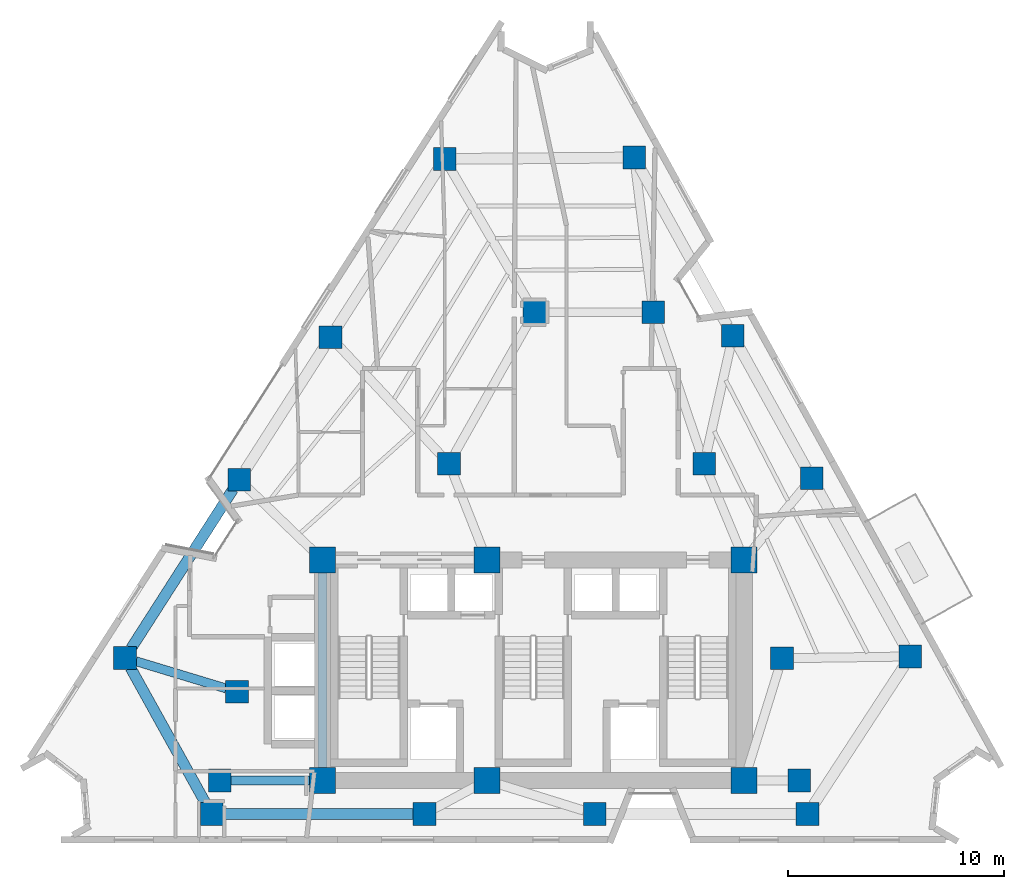
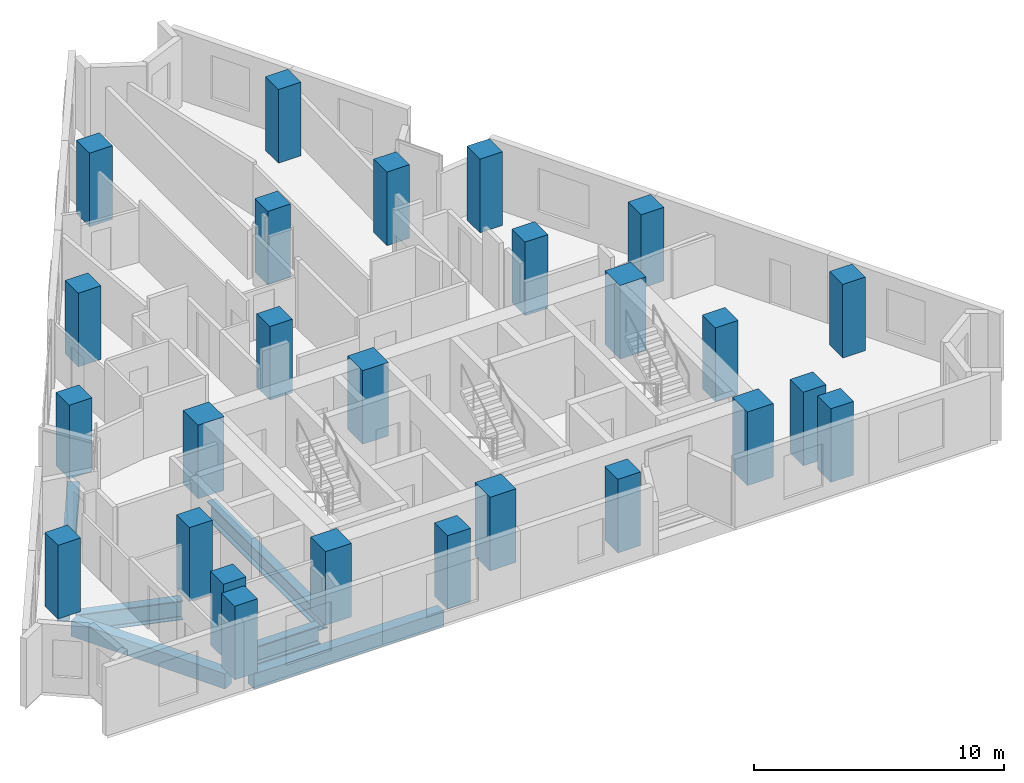
# One storey, part 1 of 11: 26 columns, 6 beams.
"""IFC4 building model written with IfcOpenShell, lengths in metres."""

from ifc_helpers import new_model, si_unit, direction, frame, origin, origin_2d, place, context, subcontext, project, spatial, rectangle, i_section, extrude, material, material_profile, profile_set, type_object, element, save


model = new_model("IFC4")

# Units and contexts
model_context = context("Model", 3, precision=1e-05, world=origin(), true_north=direction((0.0, 1.0)))
body_context = subcontext(model_context, "Body", "Model", "MODEL_VIEW")
ifc_project = project(units=[si_unit("LENGTHUNIT", "METRE"), si_unit("AREAUNIT", "SQUARE_METRE"), si_unit("VOLUMEUNIT", "CUBIC_METRE"), si_unit("PLANEANGLEUNIT", "RADIAN"), si_unit("MASSUNIT", "GRAM", prefix="KILO")], contexts=[model_context])

# Site, building, storey
site_placement = place(None, origin())
site = spatial("IfcSite", under=ifc_project, at=site_placement, CompositionType="ELEMENT")
building_placement = place(site_placement, origin())
building = spatial("IfcBuilding", under=site, at=building_placement, Name="Almagre Mirador Tower", CompositionType="ELEMENT")
storey_placement = place(building_placement, frame((0.0, 0.0, 157.199951171875)))
storey = spatial("IfcBuildingStorey", under=building, at=storey_placement, Name="L40", CompositionType="ELEMENT", Elevation=157.199951171875)

# Columns
ifc_material_1 = material(Name="Concrete C60/75", Category="concrete")
ifc_material_profile_1 = material_profile(ifc_material_1, rectangle(XDim=1.050048828125, YDim=1.050048828125, at=origin_2d()), Name="RC1050X1050")
ifc_profile_set_1 = profile_set([ifc_material_profile_1], Name="Concrete C60/75")
column_type_1 = type_object("IfcColumnType", Name="COL-RC1050", PredefinedType="COLUMN", material=ifc_profile_set_1)
for number, where, z_axis, x_axis, name in (
    (1, (22.800048828125, 4.550048828125, 0.0), (0.0, 0.0, 1.0), (1.0, 0.0, 0.0), "L40 interior transfer column MC1"),
    (2, (49.60009765625, 4.550048828125, 0.0), (0.0, 0.0, 1.0), (1.0, 0.0, 0.0), "L40 interior transfer column MC2"),
    (3, (48.800048828125, 10.199951171875, 0.0), (0.0, 0.0, 1.0), (1.0, 0.0, 0.0), "L40 interior transfer column MC3"),
    (4, (45.199951171875, 19.199951171875, 0.0), (0.0, 0.0, 1.0), (1.0, 0.0, 0.0), "L40 interior transfer column MC5"),
    (5, (42.85009765625, 26.199951171875, 0.0), (0.0, 0.0, 1.0), (1.0, 0.0, 0.0), "L40 interior transfer column MC6"),
    (6, (37.35009765625, 26.199951171875, 0.0), (0.0, 0.0, 1.0), (1.0, 0.0, 0.0), "L40 interior transfer column MC7"),
    (7, (33.39990234375, 19.199951171875, 0.0), (0.0, 0.0, 1.0), (1.0, 0.0, 0.0), "L40 interior transfer column MC8"),
    (8, (23.60009765625, 8.64990234375, 0.0), (0.0, 0.0, 1.0), (1.0, 0.0, 0.0), "L40 interior transfer column MC10"),
    (9, (22.424072265625, 3.0, 0.0), (0.0, 0.0, 1.0), (1.0, 0.0, 0.0), "L40 perimeter column PC01"),
    (10, (32.263916015625, 3.0, 0.0), (0.0, 0.0, 1.0), (1.0, 0.0, 0.0), "L40 perimeter column PC02"),
    (11, (40.135986328125, 3.0, 0.0), (0.0, 0.0, 1.0), (1.0, 0.0, 0.0), "L40 perimeter column PC03"),
    (12, (49.97607421875, 3.0, 0.0), (0.0, 0.0, 1.0), (1.0, 0.0, 0.0), "L40 perimeter column PC04"),
    (13, (54.73388671875, 10.282958984375, 0.0), (0.0, 0.0, 1.0), (1.0, 0.0, 0.0), "L40 perimeter column PC05"),
    (14, (50.174072265625, 18.52294921875, 0.0), (0.0, 0.0, 1.0), (1.0, 0.0, 0.0), "L40 perimeter column PC06"),
    (15, (46.52587890625, 25.114990234375, 0.0), (0.0, 0.0, 1.0), (1.0, 0.0, 0.0), "L40 perimeter column PC07"),
    (16, (41.966064453125, 33.35498046875, 0.0), (0.0, 0.0, 1.0), (1.0, 0.0, 0.0), "L40 perimeter column PC08"),
    (17, (33.201904296875, 33.2890625, 0.0), (0.0, 0.0, 1.0), (1.0, 0.0, 0.0), "L40 perimeter column PC09"),
    (18, (27.922119140625, 25.049072265625, 0.0), (0.0, 0.0, 1.0), (1.0, 0.0, 0.0), "L40 perimeter column PC10"),
    (19, (23.697998046875, 18.45703125, 0.0), (0.0, 0.0, 1.0), (1.0, 0.0, 0.0), "L40 perimeter column PC11"),
    (20, (18.41796875, 10.217041015625, 0.0), (0.0, 0.0, 1.0), (1.0, 0.0, 0.0), "L40 perimeter column PC12"),
):
    element("IfcColumn", number, at=place(storey_placement, frame(where, z_axis=z_axis, x_axis=x_axis)), inside=storey, type_object=column_type_1, Name=name, PredefinedType="COLUMN", context=body_context, shape_type="SweptSolid", body=[
        extrude(rectangle(XDim=1.050048828125, YDim=1.050048828125, at=origin_2d()), origin(), (0.0, 0.0, 1.0), 3.60009765625),
    ])
ifc_material_2 = material(Name="Concrete C60/75", Category="concrete")
ifc_material_profile_2 = material_profile(ifc_material_2, rectangle(XDim=1.199951171875, YDim=1.199951171875, at=origin_2d()), Name="RC1200X1200")
ifc_profile_set_2 = profile_set([ifc_material_profile_2], Name="Concrete C60/75")
column_type_2 = type_object("IfcColumnType", Name="COL-RC1200", PredefinedType="COLUMN", material=ifc_profile_set_2)
for number, where, z_axis, x_axis, name in (
    (21, (27.550048828125, 4.550048828125, 0.0), (0.0, 0.0, 1.0), (1.0, 0.0, 0.0), "L40 core spine column CC1"),
    (22, (35.14990234375, 4.550048828125, 0.0), (0.0, 0.0, 1.0), (1.0, 0.0, 0.0), "L40 core spine column CC2"),
    (23, (47.050048828125, 4.550048828125, 0.0), (0.0, 0.0, 1.0), (1.0, 0.0, 0.0), "L40 core spine column CC3"),
    (24, (27.550048828125, 14.75, 0.0), (0.0, 0.0, 1.0), (1.0, 0.0, 0.0), "L40 core spine column CC4"),
    (25, (35.14990234375, 14.75, 0.0), (0.0, 0.0, 1.0), (1.0, 0.0, 0.0), "L40 core spine column CC5"),
    (26, (47.050048828125, 14.75, 0.0), (0.0, 0.0, 1.0), (1.0, 0.0, 0.0), "L40 core spine column CC6"),
):
    element("IfcColumn", number, at=place(storey_placement, frame(where, z_axis=z_axis, x_axis=x_axis)), inside=storey, type_object=column_type_2, Name=name, PredefinedType="COLUMN", context=body_context, shape_type="SweptSolid", body=[
        extrude(rectangle(XDim=1.199951171875, YDim=1.199951171875, at=origin_2d()), origin(), (0.0, 0.0, 1.0), 3.60009765625),
    ])

# Beams
ifc_material_3 = material(Name="Precast concrete C50/60", Category="concrete")
ifc_material_profile_3 = material_profile(ifc_material_3, rectangle(XDim=0.5, YDim=0.75, at=origin_2d()), Name="RC500X750")
ifc_profile_set_3 = profile_set([ifc_material_profile_3], Name="Precast concrete C50/60")
beam_type_1 = type_object("IfcBeamType", Name="BM-SPN-RC500X750", PredefinedType="SPANDREL", material=ifc_profile_set_3)
beam_1_placement = place(storey_placement, frame((22.948974609375, 3.0, -0.625), z_axis=(1.0, 0.0, 0.0), x_axis=(0.0, 1.0, 0.0)))
element("IfcBeam", 27, at=beam_1_placement, inside=storey, type_object=beam_type_1, Name="L40 perimeter spandrel beam PC01-PC02", PredefinedType="SPANDREL", context=body_context, shape_type="SweptSolid", body=[
    extrude(rectangle(XDim=0.5, YDim=0.75, at=origin_2d()), origin(), (0.0, 0.0, 1.0), 8.7900390625),
])
beam_2_placement = place(storey_placement, frame((23.414794921875, 18.014892578125, -0.625), z_axis=(-0.539525433851, -0.841969302426, 0.0), x_axis=(0.841969302426, -0.539525433851, 0.0)))
element("IfcBeam", 28, at=beam_2_placement, inside=storey, type_object=beam_type_1, Name="L40 perimeter spandrel beam PC11-PC12", PredefinedType="SPANDREL", context=body_context, shape_type="SweptSolid", body=[
    extrude(rectangle(XDim=0.5, YDim=0.75, at=origin_2d()), origin(), (0.0, 0.0, 1.0), 8.736572265625),
])
beam_3_placement = place(storey_placement, frame((18.6728515625, 9.758056640625, -0.625), z_axis=(0.48530913158, -0.874342636959, 0.0), x_axis=(0.874342636959, 0.48530913158, 0.0)))
element("IfcBeam", 29, at=beam_3_placement, inside=storey, type_object=beam_type_1, Name="L40 perimeter spandrel beam PC12-PC01", PredefinedType="SPANDREL", context=body_context, shape_type="SweptSolid", body=[
    extrude(rectangle(XDim=0.5, YDim=0.75, at=origin_2d()), origin(), (0.0, 0.0, 1.0), 7.204345703125),
])
ifc_material_4 = material(Name="Steel ASTM A992 Grade 50", Category="steel")
ifc_material_profile_4 = material_profile(ifc_material_4, i_section(OverallWidth=0.404052734375, OverallDepth=0.884033203125, WebThickness=0.0244140625, FlangeThickness=0.0439453125, FilletRadius=0.02490234375, at=origin_2d()), Name="W33X291")
ifc_profile_set_4 = profile_set([ifc_material_profile_4], Name="Steel ASTM A992 Grade 50")
beam_type_2 = type_object("IfcBeamType", Name="BM-STL-W33X291", PredefinedType="BEAM", material=ifc_profile_set_4)
beam_4_placement = place(storey_placement, frame((27.550048828125, 5.14990234375, -0.69189453125), z_axis=(0.0, 1.0, 0.0), x_axis=(-1.0, 0.0, 0.0)))
element("IfcBeam", 30, at=beam_4_placement, inside=storey, type_object=beam_type_2, Name="L40 core tie girder CC1-CC4", PredefinedType="BEAM", context=body_context, shape_type="SweptSolid", body=[
    extrude(i_section(OverallWidth=0.404052734375, OverallDepth=0.884033203125, WebThickness=0.0244140625, FlangeThickness=0.0439453125, FilletRadius=0.02490234375, at=origin_2d()), origin(), (0.0, 0.0, 1.0), 9.0),
])
beam_5_placement = place(storey_placement, frame((23.324951171875, 4.550048828125, -0.69189453125), z_axis=(1.0, 0.0, 0.0), x_axis=(0.0, 1.0, 0.0)))
element("IfcBeam", 31, at=beam_5_placement, inside=storey, type_object=beam_type_2, Name="L40 core tie girder MC1-CC1", PredefinedType="BEAM", context=body_context, shape_type="SweptSolid", body=[
    extrude(i_section(OverallWidth=0.404052734375, OverallDepth=0.884033203125, WebThickness=0.0244140625, FlangeThickness=0.0439453125, FilletRadius=0.02490234375, at=origin_2d()), origin(), (0.0, 0.0, 1.0), 3.625),
])
ifc_material_5 = material(Name="Steel ASTM A992 Grade 50", Category="steel")
ifc_material_profile_5 = material_profile(ifc_material_5, i_section(OverallWidth=0.41796875, OverallDepth=0.927001953125, WebThickness=0.019287109375, FlangeThickness=0.031982421875, FilletRadius=0.028076171875, at=origin_2d()), Name="W36X231")
ifc_profile_set_5 = profile_set([ifc_material_profile_5], Name="Steel ASTM A992 Grade 50")
beam_type_3 = type_object("IfcBeamType", Name="BM-STL-W36X231", PredefinedType="BEAM", material=ifc_profile_set_5)
beam_6_placement = place(storey_placement, frame((18.92041015625, 10.06494140625, -0.71337890625), z_axis=(0.957203497828, -0.289415728229, 0.0), x_axis=(0.289415728229, 0.957203497828, 0.0)))
element("IfcBeam", 32, at=beam_6_placement, inside=storey, type_object=beam_type_3, Name="L40 radial floor girder PC12-MC10", PredefinedType="BEAM", context=body_context, shape_type="SweptSolid", body=[
    extrude(i_section(OverallWidth=0.41796875, OverallDepth=0.927001953125, WebThickness=0.019287109375, FlangeThickness=0.031982421875, FilletRadius=0.028076171875, at=origin_2d()), origin(), (0.0, 0.0, 1.0), 4.36376953125),
])

save(model, "model.ifc")
